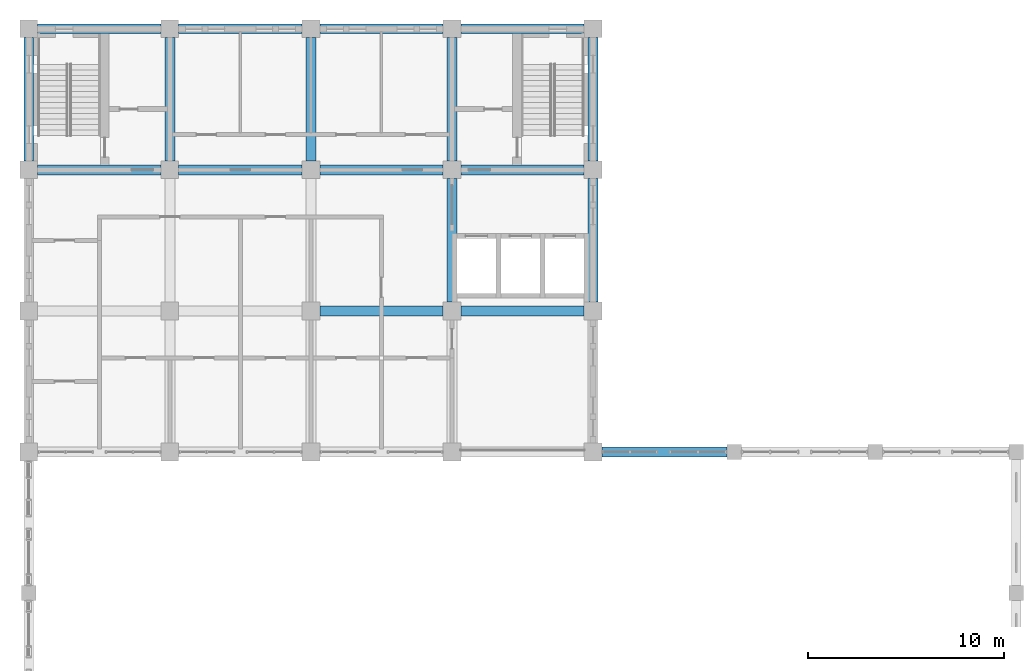
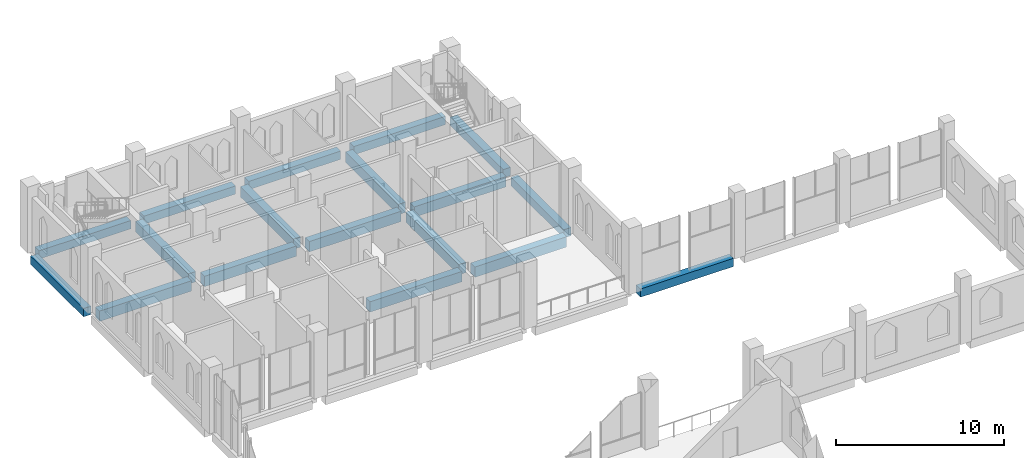
# One storey, part 12 of 39: 18 beams.
"""IFC4 building model written with IfcOpenShell, lengths in metres."""

from ifc_helpers import new_model, si_unit, direction, frame, origin, origin_2d, place, context, subcontext, project, spatial, rectangle, extrude, material, material_profile, profile_set, type_object, element, save


model = new_model("IFC4")

# Units and contexts
model_context = context("Model", 3, precision=1e-05, world=origin(), true_north=direction((0.0, 1.0)))
body_context = subcontext(model_context, "Body", "Model", "MODEL_VIEW")
ifc_project = project(units=[si_unit("LENGTHUNIT", "METRE"), si_unit("AREAUNIT", "SQUARE_METRE"), si_unit("VOLUMEUNIT", "CUBIC_METRE"), si_unit("PLANEANGLEUNIT", "RADIAN"), si_unit("MASSUNIT", "GRAM", prefix="KILO")], contexts=[model_context])

# Site, building, storey
site_placement = place(None, origin())
site = spatial("IfcSite", under=ifc_project, at=site_placement, CompositionType="ELEMENT")
building_placement = place(site_placement, origin())
building = spatial("IfcBuilding", under=site, at=building_placement, Name="Silangan Lancet Faculty of Sciences", CompositionType="ELEMENT")
storey_placement = place(building_placement, frame((0.0, 0.0, 26.39990234375)))
storey = spatial("IfcBuildingStorey", under=building, at=storey_placement, Name="L05", CompositionType="ELEMENT", Elevation=26.39990234375)

# Beams
ifc_material_1 = material(Name="Concrete C40/50", Category="concrete")
ifc_material_profile_1 = material_profile(ifc_material_1, rectangle(XDim=0.5, YDim=0.60009765625, at=origin_2d()), Name="RC 500x600")
ifc_profile_set_1 = profile_set([ifc_material_profile_1], Name="Concrete C40/50")
beam_type_1 = type_object("IfcBeamType", Name="BEAM RC 500x600", PredefinedType="BEAM", material=ifc_profile_set_1)
beam_1_placement = place(storey_placement, frame((29.25, 36.0, -0.2998046875), z_axis=(1.0, 0.0, 0.0), x_axis=(0.0, 1.0, 0.0)))
element("IfcBeam", 1, at=beam_1_placement, inside=storey, type_object=beam_type_1, Name="BM-L05-5F-6F", PredefinedType="BEAM", context=body_context, shape_type="SweptSolid", body=[
    extrude(rectangle(XDim=0.5, YDim=0.60009765625, at=origin_2d()), origin(), (0.0, 0.0, 1.0), 6.375),
])
for number, where, z_axis, x_axis, name in (
    (2, (0.449951171875, 57.60009765625, -0.5498046875), (1.0, 0.0, 0.0), (0.0, 1.0, 0.0), "BM-L05-1I-2I"),
    (3, (7.64990234375, 57.60009765625, -0.5498046875), (1.0, 0.0, 0.0), (0.0, 1.0, 0.0), "BM-L05-2I-3I"),
):
    element("IfcBeam", number, at=place(storey_placement, frame(where, z_axis=z_axis, x_axis=x_axis)), inside=storey, type_object=beam_type_1, Name=name, PredefinedType="BEAM", context=body_context, shape_type="SweptSolid", body=[
        extrude(rectangle(XDim=0.5, YDim=0.60009765625, at=origin_2d()), origin(), (0.0, 0.0, 1.0), 6.300048828125),
    ])
beam_2_placement = place(storey_placement, frame((14.85009765625, 57.60009765625, -0.5498046875), z_axis=(1.0, 0.0, 0.0), x_axis=(0.0, 1.0, 0.0)))
element("IfcBeam", 4, at=beam_2_placement, inside=storey, type_object=beam_type_1, Name="BM-L05-3I-4I", PredefinedType="BEAM", context=body_context, shape_type="SweptSolid", body=[
    extrude(rectangle(XDim=0.5, YDim=0.60009765625, at=origin_2d()), origin(), (0.0, 0.0, 1.0), 6.2998046875),
])
beam_3_placement = place(storey_placement, frame((22.050048828125, 57.60009765625, -0.5498046875), z_axis=(1.0, 0.0, 0.0), x_axis=(0.0, 1.0, 0.0)))
element("IfcBeam", 5, at=beam_3_placement, inside=storey, type_object=beam_type_1, Name="BM-L05-4I-5I", PredefinedType="BEAM", context=body_context, shape_type="SweptSolid", body=[
    extrude(rectangle(XDim=0.5, YDim=0.60009765625, at=origin_2d()), origin(), (0.0, 0.0, 1.0), 6.300048828125),
])
beam_4_placement = place(storey_placement, frame((0.0, 50.85009765625, -0.5498046875), z_axis=(0.0, 1.0, 0.0), x_axis=(-1.0, 0.0, 0.0)))
element("IfcBeam", 6, at=beam_4_placement, inside=storey, type_object=beam_type_1, Name="BM-L05-1H-1I", PredefinedType="BEAM", context=body_context, shape_type="SweptSolid", body=[
    extrude(rectangle(XDim=0.5, YDim=0.60009765625, at=origin_2d()), origin(), (0.0, 0.0, 1.0), 6.2998046875),
])
beam_5_placement = place(storey_placement, frame((28.800048828125, 43.64990234375, -0.5498046875), z_axis=(0.0, 1.0, 0.0), x_axis=(-1.0, 0.0, 0.0)))
element("IfcBeam", 7, at=beam_5_placement, inside=storey, type_object=beam_type_1, Name="BM-L05-5G-5H", PredefinedType="BEAM", context=body_context, shape_type="SweptSolid", body=[
    extrude(rectangle(XDim=0.5, YDim=0.60009765625, at=origin_2d()), origin(), (0.0, 0.0, 1.0), 6.300048828125),
])
beam_6_placement = place(storey_placement, frame((28.800048828125, 50.85009765625, -0.5498046875), z_axis=(0.0, 1.0, 0.0), x_axis=(-1.0, 0.0, 0.0)))
element("IfcBeam", 8, at=beam_6_placement, inside=storey, type_object=beam_type_1, Name="BM-L05-5H-5I", PredefinedType="BEAM", context=body_context, shape_type="SweptSolid", body=[
    extrude(rectangle(XDim=0.5, YDim=0.60009765625, at=origin_2d()), origin(), (0.0, 0.0, 1.0), 6.2998046875),
])
ifc_material_2 = material(Name="Concrete C40/50", Category="concrete")
ifc_material_profile_2 = material_profile(ifc_material_2, rectangle(XDim=0.5, YDim=0.75, at=origin_2d()), Name="RC 500x750")
ifc_profile_set_2 = profile_set([ifc_material_profile_2], Name="Concrete C40/50")
beam_type_2 = type_object("IfcBeamType", Name="BEAM RC 500x750", PredefinedType="BEAM", material=ifc_profile_set_2)
beam_7_placement = place(storey_placement, frame((14.85009765625, 43.199951171875, -0.625), z_axis=(1.0, 0.0, 0.0), x_axis=(0.0, 1.0, 0.0)))
element("IfcBeam", 9, at=beam_7_placement, inside=storey, type_object=beam_type_2, Name="BM-L05-3G-4G", PredefinedType="BEAM", context=body_context, shape_type="SweptSolid", body=[
    extrude(rectangle(XDim=0.5, YDim=0.75, at=origin_2d()), origin(), (0.0, 0.0, 1.0), 6.2998046875),
])
for number, where, z_axis, x_axis, name in (
    (10, (22.050048828125, 43.199951171875, -0.625), (1.0, 0.0, 0.0), (0.0, 1.0, 0.0), "BM-L05-4G-5G"),
    (11, (0.449951171875, 50.39990234375, -0.625), (1.0, 0.0, 0.0), (0.0, 1.0, 0.0), "BM-L05-1H-2H"),
    (12, (7.64990234375, 50.39990234375, -0.625), (1.0, 0.0, 0.0), (0.0, 1.0, 0.0), "BM-L05-2H-3H"),
):
    element("IfcBeam", number, at=place(storey_placement, frame(where, z_axis=z_axis, x_axis=x_axis)), inside=storey, type_object=beam_type_2, Name=name, PredefinedType="BEAM", context=body_context, shape_type="SweptSolid", body=[
        extrude(rectangle(XDim=0.5, YDim=0.75, at=origin_2d()), origin(), (0.0, 0.0, 1.0), 6.300048828125),
    ])
beam_8_placement = place(storey_placement, frame((14.85009765625, 50.39990234375, -0.625), z_axis=(1.0, 0.0, 0.0), x_axis=(0.0, 1.0, 0.0)))
element("IfcBeam", 13, at=beam_8_placement, inside=storey, type_object=beam_type_2, Name="BM-L05-3H-4H", PredefinedType="BEAM", context=body_context, shape_type="SweptSolid", body=[
    extrude(rectangle(XDim=0.5, YDim=0.75, at=origin_2d()), origin(), (0.0, 0.0, 1.0), 6.2998046875),
])
beam_9_placement = place(storey_placement, frame((22.050048828125, 50.39990234375, -0.625), z_axis=(1.0, 0.0, 0.0), x_axis=(0.0, 1.0, 0.0)))
element("IfcBeam", 14, at=beam_9_placement, inside=storey, type_object=beam_type_2, Name="BM-L05-4H-5H", PredefinedType="BEAM", context=body_context, shape_type="SweptSolid", body=[
    extrude(rectangle(XDim=0.5, YDim=0.75, at=origin_2d()), origin(), (0.0, 0.0, 1.0), 6.300048828125),
])
for number, where, z_axis, x_axis, name in (
    (15, (7.199951171875, 50.85009765625, -0.625), (0.0, 1.0, 0.0), (-1.0, 0.0, 0.0), "BM-L05-2H-2I"),
    (16, (14.39990234375, 50.85009765625, -0.625), (0.0, 1.0, 0.0), (-1.0, 0.0, 0.0), "BM-L05-3H-3I"),
):
    element("IfcBeam", number, at=place(storey_placement, frame(where, z_axis=z_axis, x_axis=x_axis)), inside=storey, type_object=beam_type_2, Name=name, PredefinedType="BEAM", context=body_context, shape_type="SweptSolid", body=[
        extrude(rectangle(XDim=0.5, YDim=0.75, at=origin_2d()), origin(), (0.0, 0.0, 1.0), 6.2998046875),
    ])
beam_10_placement = place(storey_placement, frame((21.60009765625, 43.64990234375, -0.625), z_axis=(0.0, 1.0, 0.0), x_axis=(-1.0, 0.0, 0.0)))
element("IfcBeam", 17, at=beam_10_placement, inside=storey, type_object=beam_type_2, Name="BM-L05-4G-4H", PredefinedType="BEAM", context=body_context, shape_type="SweptSolid", body=[
    extrude(rectangle(XDim=0.5, YDim=0.75, at=origin_2d()), origin(), (0.0, 0.0, 1.0), 6.300048828125),
])
beam_11_placement = place(storey_placement, frame((21.60009765625, 50.85009765625, -0.625), z_axis=(0.0, 1.0, 0.0), x_axis=(-1.0, 0.0, 0.0)))
element("IfcBeam", 18, at=beam_11_placement, inside=storey, type_object=beam_type_2, Name="BM-L05-4H-4I", PredefinedType="BEAM", context=body_context, shape_type="SweptSolid", body=[
    extrude(rectangle(XDim=0.5, YDim=0.75, at=origin_2d()), origin(), (0.0, 0.0, 1.0), 6.2998046875),
])

save(model, "model.ifc")
